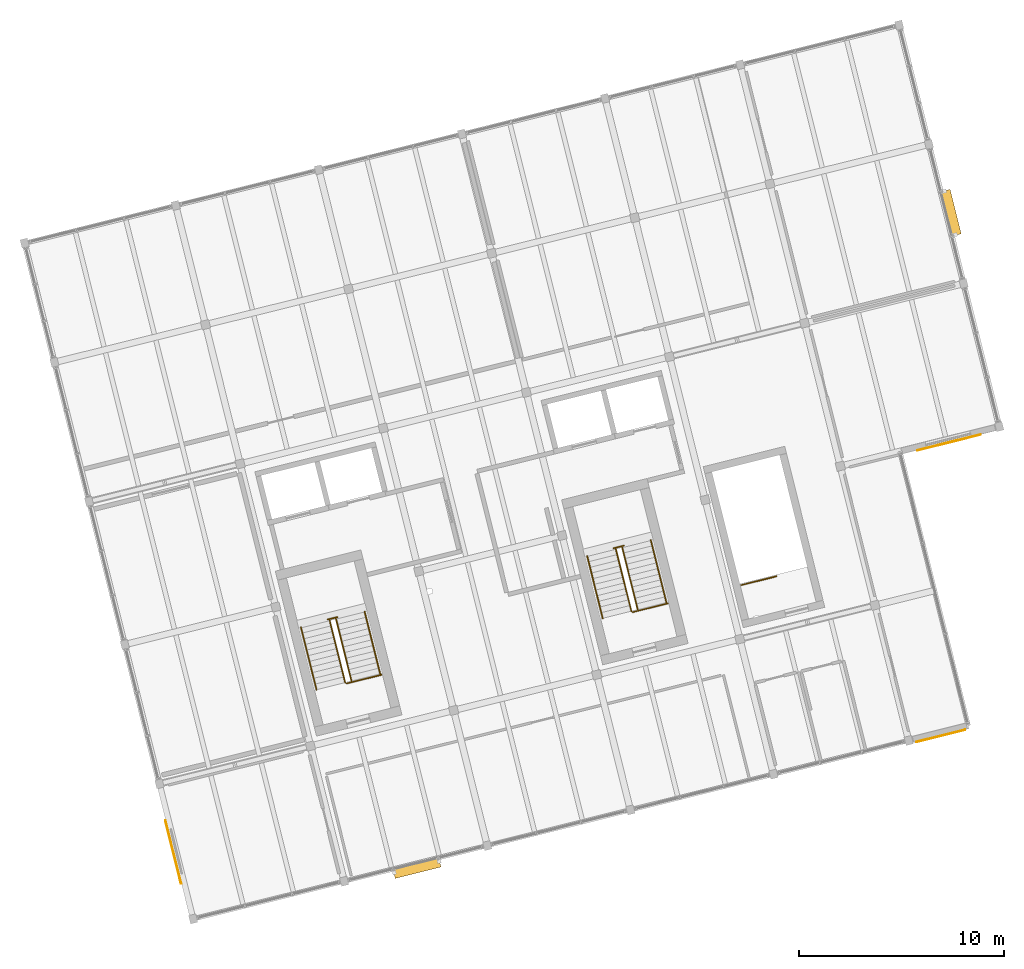
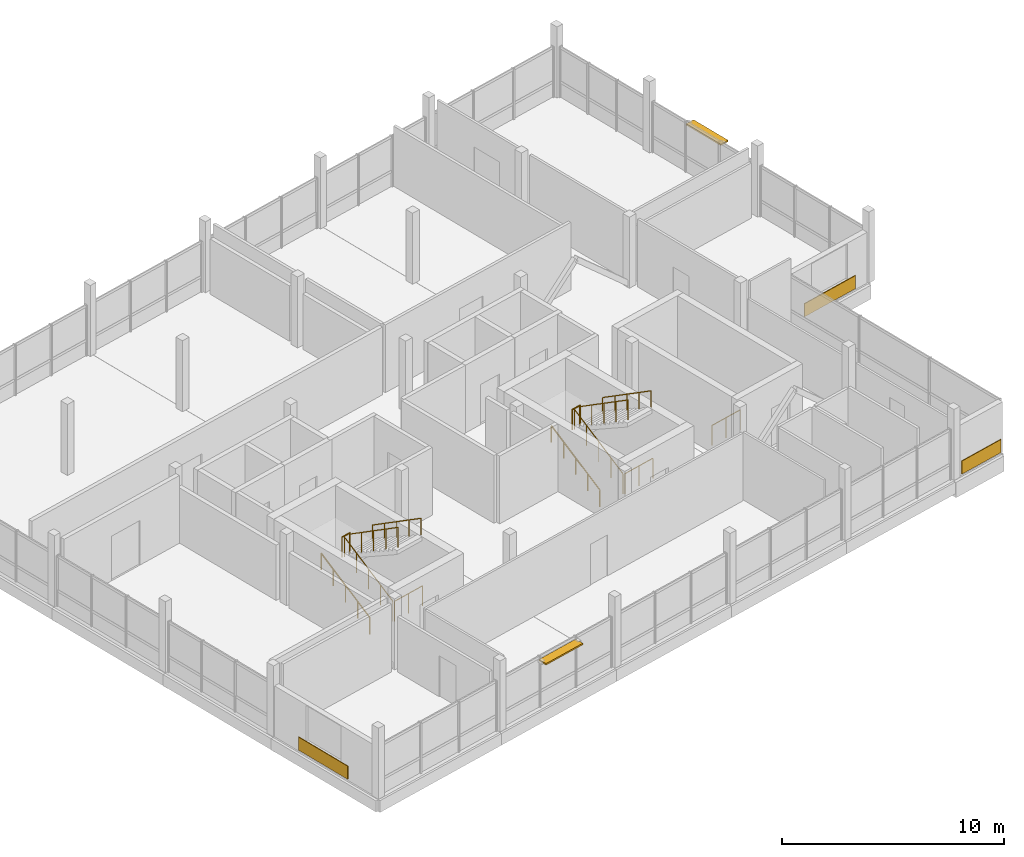
# One storey, part 28 of 28: 13 railings, 3 coverings, 2 shading devices.
"""IFC4 building model written with IfcOpenShell, lengths in metres."""

from ifc_helpers import new_model, si_unit, direction, frame, origin, origin_2d, place, context, subcontext, project, spatial, rectangle, circle, extrude, material, layer, layer_set, type_object, element, save


model = new_model("IFC4")

# Units and contexts
model_context = context("Model", 3, precision=1e-05, world=origin(), true_north=direction((0.0, 1.0)))
body_context = subcontext(model_context, "Body", "Model", "MODEL_VIEW")
ifc_project = project(units=[si_unit("LENGTHUNIT", "METRE"), si_unit("AREAUNIT", "SQUARE_METRE"), si_unit("VOLUMEUNIT", "CUBIC_METRE"), si_unit("PLANEANGLEUNIT", "RADIAN"), si_unit("MASSUNIT", "GRAM", prefix="KILO")], contexts=[model_context])

# Site, building, storey
site_placement = place(None, origin())
site = spatial("IfcSite", under=ifc_project, at=site_placement, CompositionType="ELEMENT")
building_placement = place(site_placement, origin())
building = spatial("IfcBuilding", under=site, at=building_placement, Name="Meriwether Solvik Hall", CompositionType="ELEMENT")
storey_placement = place(building_placement, frame((0.0, 0.0, 30.0)))
storey = spatial("IfcBuildingStorey", under=building, at=storey_placement, Name="L07", CompositionType="ELEMENT", Elevation=30.0)

# Coverings
ifc_material_1 = material(Name="Acetylated Charred Western Red Cedar Timber", Category="wood")
ifc_layer_1 = layer(ifc_material_1, 0.0400390625)
ifc_layer_set_1 = layer_set([ifc_layer_1], Name="Acetylated Charred Western Red Cedar Timber")
covering_type = type_object("IfcCoveringType", Name="COV-CLAD-TIMB", PredefinedType="CLADDING", material=ifc_layer_set_1)
covering_placement = place(storey_placement, frame((105.09375, 50.134033203125, 0.080078125), z_axis=(0.0, 0.0, 1.0), x_axis=(-0.970295752974, -0.241921788521, 0.0)))
element("IfcCovering", 1, at=covering_placement, inside=storey, type_object=covering_type, Name="L07 Charred Cedar Cladding 1.5", PredefinedType="CLADDING", context=body_context, shape_type="SweptSolid", body=[
    extrude(rectangle(XDim=2.4580078125, YDim=0.0400390625, at=origin_2d()), origin(), (0.0, 0.0, 1.0), 0.719970703125),
])
for number, where, z_axis, x_axis, name in (
    (2, (105.49853515625, 64.45751953125, 0.080078125), (0.0, 0.0, 1.0), (-0.970295725537, -0.241921898563, 0.0), "L07 Charred Cedar Cladding 3.0"),
    (3, (67.6318359375, 44.462646484375, 0.080078125), (0.0, 0.0, 1.0), (-0.241921834905, 0.970295741409, 0.0), "L07 Charred Cedar Cladding 6.0"),
):
    element("IfcCovering", number, at=place(storey_placement, frame(where, z_axis=z_axis, x_axis=x_axis)), inside=storey, type_object=covering_type, Name=name, PredefinedType="CLADDING", context=body_context, shape_type="SweptSolid", body=[
        extrude(rectangle(XDim=3.199951171875, YDim=0.0400390625, at=origin_2d()), origin(), (0.0, 0.0, 1.0), 0.719970703125),
    ])

# Railings
ifc_material_2 = material(Name="Steel A36 Galvanised", Category="steel")
ifc_layer_2 = layer(ifc_material_2, 0.054931640625)
ifc_layer_set_2 = layer_set([ifc_layer_2], Name="Steel A36 Galvanised")
railing_type_1 = type_object("IfcRailingType", Name="RAIL-STR-GUARD", PredefinedType="GUARDRAIL", material=ifc_layer_set_2)
railing_1_placement = place(storey_placement, frame((75.158935546875, 55.81591796875, 1.949951171875)))
element("IfcRailing", 4, at=railing_1_placement, inside=storey, type_object=railing_type_1, Name="Stair ST-01 Landing Guardrail (L07)", PredefinedType="GUARDRAIL", context=body_context, shape_type="SweptSolid", body=[
    extrude(circle(Radius=0.02392578125, at=origin_2d()), frame((0.0, 0.0, 1.09619140625), z_axis=(0.970343250308, 0.241731207299, 0.0), x_axis=(-0.241731207299, 0.970343250308, 0.0)), (0.0, 0.0, 1.0), 0.5),
    extrude(circle(Radius=0.02099609375, at=origin_2d()), origin(), (0.0, 0.0, 1.0), 1.072021484375),
    extrude(circle(Radius=0.02099609375, at=origin_2d()), frame((0.485107421875, 0.120849609375, 0.0)), (0.0, 0.0, 1.0), 1.072021484375),
])
railing_2_placement = place(storey_placement, frame((76.092041015625, 52.69384765625, 0.0)))
element("IfcRailing", 5, at=railing_2_placement, inside=storey, type_object=railing_type_1, Name="Stair ST-01 Well Guardrail (L07)", PredefinedType="GUARDRAIL", context=body_context, shape_type="SweptSolid", body=[
    extrude(circle(Radius=0.02392578125, at=origin_2d()), frame((0.0, 0.0, 1.09619140625), z_axis=(0.970298223594, 0.241911879182, 0.0), x_axis=(-0.241911879182, 0.970298223594, 0.0)), (0.0, 0.0, 1.0), 1.75),
    extrude(circle(Radius=0.02099609375, at=origin_2d()), origin(), (0.0, 0.0, 1.0), 1.072021484375),
    extrude(circle(Radius=0.02099609375, at=origin_2d()), frame((0.84912109375, 0.211669921875, 0.0)), (0.0, 0.0, 1.0), 1.072021484375),
    extrude(circle(Radius=0.02099609375, at=origin_2d()), frame((1.697998046875, 0.42333984375, 0.0)), (0.0, 0.0, 1.0), 1.072021484375),
])
railing_3_placement = place(storey_placement, frame((76.019287109375, 52.737548828125, 0.0)))
element("IfcRailing", 6, at=railing_3_placement, inside=storey, type_object=railing_type_1, Name="Stair ST-01 Flight 1 Inner Guardrail (L07)", PredefinedType="GUARDRAIL", context=body_context, shape_type="SweptSolid", body=[
    extrude(circle(Radius=0.02392578125, at=origin_2d()), frame((0.0, 0.0, 1.09619140625), z_axis=(-0.205452207734, 0.823924849814, 0.528145086313), x_axis=(-0.970288906122, -0.2419492481, 0.0)), (0.0, 0.0, 1.0), 3.692138671875),
    extrude(circle(Radius=0.02099609375, at=origin_2d()), origin(), (0.0, 0.0, 1.0), 1.072021484375),
    extrude(circle(Radius=0.02099609375, at=origin_2d()), frame((-0.189697265625, 0.760498046875, 0.487548828125)), (0.0, 0.0, 1.0), 1.072021484375),
    extrude(circle(Radius=0.02099609375, at=origin_2d()), frame((-0.37939453125, 1.52099609375, 0.97509765625)), (0.0, 0.0, 1.0), 1.072021484375),
    extrude(circle(Radius=0.02099609375, at=origin_2d()), frame((-0.56884765625, 2.281494140625, 1.46240234375)), (0.0, 0.0, 1.0), 1.072021484375),
    extrude(circle(Radius=0.02099609375, at=origin_2d()), frame((-0.758544921875, 3.0419921875, 1.949951171875)), (0.0, 0.0, 1.0), 1.072021484375),
])
railing_4_placement = place(storey_placement, frame((75.5712890625, 55.85693359375, 1.949951171875)))
element("IfcRailing", 7, at=railing_4_placement, inside=storey, type_object=railing_type_1, Name="Stair ST-01 Flight 2 Inner Guardrail (L07)", PredefinedType="GUARDRAIL", context=body_context, shape_type="SweptSolid", body=[
    extrude(circle(Radius=0.02392578125, at=origin_2d()), frame((0.0, 0.0, 1.09619140625), z_axis=(0.205388872055, -0.823936041794, 0.528152260498), x_axis=(0.970307185051, 0.241875932325, 0.0)), (0.0, 0.0, 1.0), 3.692138671875),
    extrude(circle(Radius=0.02099609375, at=origin_2d()), origin(), (0.0, 0.0, 1.0), 1.072021484375),
    extrude(circle(Radius=0.02099609375, at=origin_2d()), frame((0.189453125, -0.760498046875, 0.487548828125)), (0.0, 0.0, 1.0), 1.072021484375),
    extrude(circle(Radius=0.02099609375, at=origin_2d()), frame((0.379150390625, -1.52099609375, 0.97509765625)), (0.0, 0.0, 1.0), 1.072021484375),
    extrude(circle(Radius=0.02099609375, at=origin_2d()), frame((0.56884765625, -2.281494140625, 1.46240234375)), (0.0, 0.0, 1.0), 1.072021484375),
    extrude(circle(Radius=0.02099609375, at=origin_2d()), frame((0.75830078125, -3.0419921875, 1.949951171875)), (0.0, 0.0, 1.0), 1.072021484375),
])
railing_5_placement = place(storey_placement, frame((89.131103515625, 59.299560546875, 1.949951171875)))
element("IfcRailing", 8, at=railing_5_placement, inside=storey, type_object=railing_type_1, Name="Stair ST-02 Landing Guardrail (L07)", PredefinedType="GUARDRAIL", context=body_context, shape_type="SweptSolid", body=[
    extrude(circle(Radius=0.02392578125, at=origin_2d()), frame((0.0, 0.0, 1.09619140625), z_axis=(0.970228607419, 0.242190935722, 0.0), x_axis=(-0.242190935722, 0.970228607419, 0.0)), (0.0, 0.0, 1.0), 0.5),
    extrude(circle(Radius=0.02099609375, at=origin_2d()), origin(), (0.0, 0.0, 1.0), 1.072021484375),
    extrude(circle(Radius=0.02099609375, at=origin_2d()), frame((0.485107421875, 0.12109375, 0.0)), (0.0, 0.0, 1.0), 1.072021484375),
])
railing_6_placement = place(storey_placement, frame((90.064208984375, 56.177490234375, 0.0)))
element("IfcRailing", 9, at=railing_6_placement, inside=storey, type_object=railing_type_1, Name="Stair ST-02 Well Guardrail (L07)", PredefinedType="GUARDRAIL", context=body_context, shape_type="SweptSolid", body=[
    extrude(circle(Radius=0.02392578125, at=origin_2d()), frame((0.0, 0.0, 1.09619140625), z_axis=(0.970298223594, 0.241911879182, 0.0), x_axis=(-0.241911879182, 0.970298223594, 0.0)), (0.0, 0.0, 1.0), 1.75),
    extrude(circle(Radius=0.02099609375, at=origin_2d()), origin(), (0.0, 0.0, 1.0), 1.072021484375),
    extrude(circle(Radius=0.02099609375, at=origin_2d()), frame((0.84912109375, 0.211669921875, 0.0)), (0.0, 0.0, 1.0), 1.072021484375),
    extrude(circle(Radius=0.02099609375, at=origin_2d()), frame((1.697998046875, 0.42333984375, 0.0)), (0.0, 0.0, 1.0), 1.072021484375),
])
railing_7_placement = place(storey_placement, frame((89.991455078125, 56.22119140625, 0.0)))
element("IfcRailing", 10, at=railing_7_placement, inside=storey, type_object=railing_type_1, Name="Stair ST-02 Flight 1 Inner Guardrail (L07)", PredefinedType="GUARDRAIL", context=body_context, shape_type="SweptSolid", body=[
    extrude(circle(Radius=0.02392578125, at=origin_2d()), frame((0.0, 0.0, 1.09619140625), z_axis=(-0.205452207734, 0.823924849814, 0.528145086313), x_axis=(-0.970288906122, -0.2419492481, 0.0)), (0.0, 0.0, 1.0), 3.692138671875),
    extrude(circle(Radius=0.02099609375, at=origin_2d()), origin(), (0.0, 0.0, 1.0), 1.072021484375),
    extrude(circle(Radius=0.02099609375, at=origin_2d()), frame((-0.189697265625, 0.760498046875, 0.487548828125)), (0.0, 0.0, 1.0), 1.072021484375),
    extrude(circle(Radius=0.02099609375, at=origin_2d()), frame((-0.37939453125, 1.52099609375, 0.97509765625)), (0.0, 0.0, 1.0), 1.072021484375),
    extrude(circle(Radius=0.02099609375, at=origin_2d()), frame((-0.56884765625, 2.281494140625, 1.46240234375)), (0.0, 0.0, 1.0), 1.072021484375),
    extrude(circle(Radius=0.02099609375, at=origin_2d()), frame((-0.758544921875, 3.0419921875, 1.949951171875)), (0.0, 0.0, 1.0), 1.072021484375),
])
railing_8_placement = place(storey_placement, frame((89.54345703125, 59.340576171875, 1.949951171875)))
element("IfcRailing", 11, at=railing_8_placement, inside=storey, type_object=railing_type_1, Name="Stair ST-02 Flight 2 Inner Guardrail (L07)", PredefinedType="GUARDRAIL", context=body_context, shape_type="SweptSolid", body=[
    extrude(circle(Radius=0.02392578125, at=origin_2d()), frame((0.0, 0.0, 1.09619140625), z_axis=(0.205452207734, -0.823924849814, 0.528145086313), x_axis=(0.970288906122, 0.2419492481, 0.0)), (0.0, 0.0, 1.0), 3.692138671875),
    extrude(circle(Radius=0.02099609375, at=origin_2d()), origin(), (0.0, 0.0, 1.0), 1.072021484375),
    extrude(circle(Radius=0.02099609375, at=origin_2d()), frame((0.189697265625, -0.760498046875, 0.487548828125)), (0.0, 0.0, 1.0), 1.072021484375),
    extrude(circle(Radius=0.02099609375, at=origin_2d()), frame((0.37939453125, -1.52099609375, 0.97509765625)), (0.0, 0.0, 1.0), 1.072021484375),
    extrude(circle(Radius=0.02099609375, at=origin_2d()), frame((0.56884765625, -2.281494140625, 1.46240234375)), (0.0, 0.0, 1.0), 1.072021484375),
    extrude(circle(Radius=0.02099609375, at=origin_2d()), frame((0.758544921875, -3.0419921875, 1.949951171875)), (0.0, 0.0, 1.0), 1.072021484375),
])
railing_9_placement = place(storey_placement, frame((95.352294921875, 57.49609375, 0.0)))
element("IfcRailing", 12, at=railing_9_placement, inside=storey, type_object=railing_type_1, Name="Stair ST-03 Top Arrival Well Guardrail (L07)", PredefinedType="GUARDRAIL", context=body_context, shape_type="SweptSolid", body=[
    extrude(circle(Radius=0.02392578125, at=origin_2d()), frame((0.0, 0.0, 1.09619140625), z_axis=(0.970296454726, 0.241918973929, 0.0), x_axis=(-0.241918973929, 0.970296454726, 0.0)), (0.0, 0.0, 1.0), 1.77001953125),
    extrude(circle(Radius=0.02099609375, at=origin_2d()), origin(), (0.0, 0.0, 1.0), 1.072021484375),
    extrude(circle(Radius=0.02099609375, at=origin_2d()), frame((0.85888671875, 0.214111328125, 0.0)), (0.0, 0.0, 1.0), 1.072021484375),
    extrude(circle(Radius=0.02099609375, at=origin_2d()), frame((1.717529296875, 0.42822265625, 0.0)), (0.0, 0.0, 1.0), 1.072021484375),
])
ifc_material_3 = material(Name="Stainless Steel AISI 316", Category="steel")
ifc_layer_3 = layer(ifc_material_3, 0.044921875)
ifc_layer_set_3 = layer_set([ifc_layer_3], Name="Stainless Steel AISI 316")
railing_type_2 = type_object("IfcRailingType", Name="RAIL-STR-HAND", PredefinedType="HANDRAIL", material=ifc_layer_set_3)
railing_10_placement = place(storey_placement, frame((74.6220703125, 52.38916015625, 0.0)))
element("IfcRailing", 13, at=railing_10_placement, inside=storey, type_object=railing_type_2, Name="Stair ST-01 Lower Handrail (L07)", PredefinedType="HANDRAIL", context=body_context, shape_type="SweptSolid", body=[
    extrude(circle(Radius=0.02392578125, at=origin_2d()), frame((0.0, 0.0, 0.89599609375), z_axis=(-0.205467106702, 0.823914517495, 0.528155408876), x_axis=(-0.970284074567, -0.241968623258, 0.0)), (0.0, 0.0, 1.0), 3.698974609375),
    extrude(circle(Radius=0.02099609375, at=origin_2d()), origin(), (0.0, 0.0, 1.0), 0.871826171875),
    extrude(circle(Radius=0.02099609375, at=origin_2d()), frame((-0.18994140625, 0.761962890625, 0.48828125)), (0.0, 0.0, 1.0), 0.871826171875),
    extrude(circle(Radius=0.02099609375, at=origin_2d()), frame((-0.3798828125, 1.52392578125, 0.976806640625)), (0.0, 0.0, 1.0), 0.871826171875),
    extrude(circle(Radius=0.02099609375, at=origin_2d()), frame((-0.570068359375, 2.28564453125, 1.46533203125)), (0.0, 0.0, 1.0), 0.871826171875),
    extrude(circle(Radius=0.02099609375, at=origin_2d()), frame((-0.760009765625, 3.047607421875, 1.95361328125)), (0.0, 0.0, 1.0), 0.871826171875),
])
railing_11_placement = place(storey_placement, frame((76.968505859375, 56.205322265625, 1.949951171875)))
element("IfcRailing", 14, at=railing_11_placement, inside=storey, type_object=railing_type_2, Name="Stair ST-01 Upper Handrail (L07)", PredefinedType="HANDRAIL", context=body_context, shape_type="SweptSolid", body=[
    extrude(circle(Radius=0.02392578125, at=origin_2d()), frame((0.0, 0.0, 0.89599609375), z_axis=(0.205403888919, -0.823925689387, 0.528162570414), x_axis=(0.970302321101, 0.241895443665, 0.0)), (0.0, 0.0, 1.0), 3.698974609375),
    extrude(circle(Radius=0.02099609375, at=origin_2d()), origin(), (0.0, 0.0, 1.0), 0.871826171875),
    extrude(circle(Radius=0.02099609375, at=origin_2d()), frame((0.18994140625, -0.761962890625, 0.48828125)), (0.0, 0.0, 1.0), 0.871826171875),
    extrude(circle(Radius=0.02099609375, at=origin_2d()), frame((0.3798828125, -1.52392578125, 0.976806640625)), (0.0, 0.0, 1.0), 0.871826171875),
    extrude(circle(Radius=0.02099609375, at=origin_2d()), frame((0.56982421875, -2.28564453125, 1.46533203125)), (0.0, 0.0, 1.0), 0.871826171875),
    extrude(circle(Radius=0.02099609375, at=origin_2d()), frame((0.759765625, -3.047607421875, 1.95361328125)), (0.0, 0.0, 1.0), 0.871826171875),
])
railing_12_placement = place(storey_placement, frame((88.59423828125, 55.872802734375, 0.0)))
element("IfcRailing", 15, at=railing_12_placement, inside=storey, type_object=railing_type_2, Name="Stair ST-02 Lower Handrail (L07)", PredefinedType="HANDRAIL", context=body_context, shape_type="SweptSolid", body=[
    extrude(circle(Radius=0.02392578125, at=origin_2d()), frame((0.0, 0.0, 0.89599609375), z_axis=(-0.205403888919, 0.823925689387, 0.528162570414), x_axis=(-0.970302321101, -0.241895443665, 0.0)), (0.0, 0.0, 1.0), 3.698974609375),
    extrude(circle(Radius=0.02099609375, at=origin_2d()), origin(), (0.0, 0.0, 1.0), 0.871826171875),
    extrude(circle(Radius=0.02099609375, at=origin_2d()), frame((-0.18994140625, 0.761962890625, 0.48828125)), (0.0, 0.0, 1.0), 0.871826171875),
    extrude(circle(Radius=0.02099609375, at=origin_2d()), frame((-0.3798828125, 1.52392578125, 0.976806640625)), (0.0, 0.0, 1.0), 0.871826171875),
    extrude(circle(Radius=0.02099609375, at=origin_2d()), frame((-0.56982421875, 2.28564453125, 1.46533203125)), (0.0, 0.0, 1.0), 0.871826171875),
    extrude(circle(Radius=0.02099609375, at=origin_2d()), frame((-0.759765625, 3.047607421875, 1.95361328125)), (0.0, 0.0, 1.0), 0.871826171875),
])
railing_13_placement = place(storey_placement, frame((90.940673828125, 59.68896484375, 1.949951171875)))
element("IfcRailing", 16, at=railing_13_placement, inside=storey, type_object=railing_type_2, Name="Stair ST-02 Upper Handrail (L07)", PredefinedType="HANDRAIL", context=body_context, shape_type="SweptSolid", body=[
    extrude(circle(Radius=0.02392578125, at=origin_2d()), frame((0.0, 0.0, 0.89599609375), z_axis=(0.205467106702, -0.823914517495, 0.528155408876), x_axis=(0.970284074567, 0.241968623258, 0.0)), (0.0, 0.0, 1.0), 3.698974609375),
    extrude(circle(Radius=0.02099609375, at=origin_2d()), origin(), (0.0, 0.0, 1.0), 0.871826171875),
    extrude(circle(Radius=0.02099609375, at=origin_2d()), frame((0.18994140625, -0.761962890625, 0.48828125)), (0.0, 0.0, 1.0), 0.871826171875),
    extrude(circle(Radius=0.02099609375, at=origin_2d()), frame((0.3798828125, -1.52392578125, 0.976806640625)), (0.0, 0.0, 1.0), 0.871826171875),
    extrude(circle(Radius=0.02099609375, at=origin_2d()), frame((0.570068359375, -2.28564453125, 1.46533203125)), (0.0, 0.0, 1.0), 0.871826171875),
    extrude(circle(Radius=0.02099609375, at=origin_2d()), frame((0.760009765625, -3.047607421875, 1.95361328125)), (0.0, 0.0, 1.0), 0.871826171875),
])

# Shading devices
ifc_material_4 = material(Name="Anodised Aluminium 6063-T6", Category="aluminium")
shading_device_type_1 = type_object("IfcShadingDeviceType", Name="SHD-LOUVRE-S", PredefinedType="SHUTTER", material=ifc_material_4)
shading_device_1_placement = place(storey_placement, frame((79.525390625, 43.6767578125, 2.530029296875), z_axis=(0.0, 0.0, 1.0), x_axis=(-0.970295738259, -0.241921847539, 0.0)))
element("IfcShadingDevice", 17, at=shading_device_1_placement, inside=storey, type_object=shading_device_type_1, Name="Solar Shading Louvre E0_B1", PredefinedType="SHUTTER", context=body_context, shape_type="SweptSolid", body=[
    extrude(rectangle(XDim=2.303955078125, YDim=0.4599609375, at=origin_2d()), origin(), (0.0, 0.0, 1.0), 0.080078125),
])
ifc_material_5 = material(Name="Anodised Aluminium 6063-T6", Category="aluminium")
shading_device_type_2 = type_object("IfcShadingDeviceType", Name="SHD-LOUVRE-W", PredefinedType="USERDEFINED", material=ifc_material_5)
shading_device_2_placement = place(storey_placement, frame((105.598876953125, 75.6748046875, 2.530029296875), z_axis=(0.0, 0.0, 1.0), x_axis=(0.241921751704, -0.970295762153, 0.0)))
element("IfcShadingDevice", 18, at=shading_device_2_placement, inside=storey, type_object=shading_device_type_2, Name="Solar Shading Louvre E3_B1", ObjectType="LOUVER", PredefinedType="USERDEFINED", context=body_context, shape_type="SweptSolid", body=[
    extrude(rectangle(XDim=2.2373046875, YDim=0.4599609375, at=origin_2d()), origin(), (0.0, 0.0, 1.0), 0.080078125),
])

save(model, "model.ifc")
